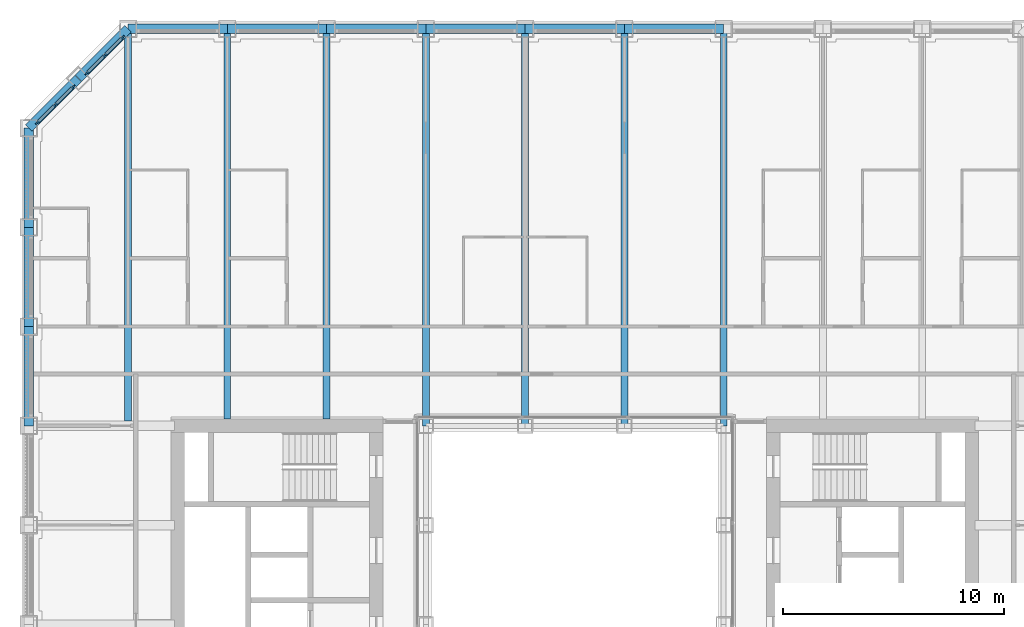
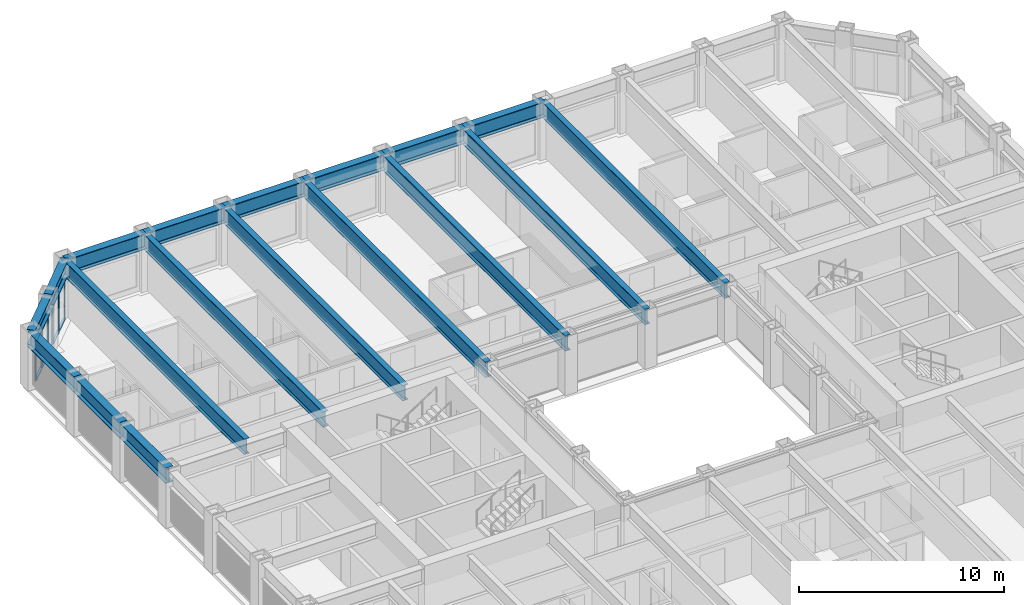
# One storey, part 6 of 21: 18 beams, 14 members, 2 elements without a shape of their own.
"""IFC4 building model written with IfcOpenShell, lengths in metres."""

from ifc_helpers import new_model, si_unit, direction, frame, origin, origin_2d, place, context, subcontext, project, spatial, rectangle, i_section, extrude, material, material_profile, profile_set, type_object, element, aggregate, save


model = new_model("IFC4")

# Units and contexts
model_context = context("Model", 3, precision=1e-05, world=origin(), true_north=direction((0.0, 1.0)))
body_context = subcontext(model_context, "Body", "Model", "MODEL_VIEW")
ifc_project = project(units=[si_unit("LENGTHUNIT", "METRE"), si_unit("AREAUNIT", "SQUARE_METRE"), si_unit("VOLUMEUNIT", "CUBIC_METRE"), si_unit("PLANEANGLEUNIT", "RADIAN"), si_unit("MASSUNIT", "GRAM", prefix="KILO")], contexts=[model_context])

# Site, building, storey
site_placement = place(None, origin())
site = spatial("IfcSite", under=ifc_project, at=site_placement, CompositionType="ELEMENT")
building_placement = place(site_placement, origin())
building = spatial("IfcBuilding", under=site, at=building_placement, Name="Msasa Ring Tower", CompositionType="ELEMENT")
storey_placement = place(building_placement, frame((0.0, 0.0, 79.0)))
storey = spatial("IfcBuildingStorey", under=building, at=storey_placement, Name="L20", CompositionType="ELEMENT", Elevation=79.0)

# Curtain wall, members
ifc_material_1 = material(Name="Aluminium curtain wall with clear glass", Category="aluminium")
curtain_wall_type = type_object("IfcCurtainWallType", Name="CW-C CHAMFER CORNER CURTAIN WALL", PredefinedType="NOTDEFINED", material=ifc_material_1)
curtain_wall_1_placement = place(storey_placement, origin())
curtain_wall_1 = element("IfcCurtainWall", 1, at=curtain_wall_1_placement, inside=storey, type_object=curtain_wall_type, Name="Chamfer corner curtain wall NW L20", PredefinedType="NOTDEFINED")
ifc_material_2 = material(Name="Aluminium mullion", Category="aluminium")
ifc_material_profile_1 = material_profile(ifc_material_2, rectangle(XDim=0.06494140625, YDim=0.179931640625, at=origin_2d()), Name="AL 65x180")
ifc_profile_set_1 = profile_set([ifc_material_profile_1], Name="Aluminium mullion")
member_type_1 = type_object("IfcMemberType", Name="CW-C MULLION 65x180", PredefinedType="MULLION", material=ifc_profile_set_1)
member_1_placement = place(storey_placement, frame((-22.73876953125, 22.119873046875, 0.0), z_axis=(0.0, 0.0, 1.0), x_axis=(0.707106781187, -0.707106781187, 0.0)))
member_1 = element("IfcMember", 2, at=member_1_placement, type_object=member_type_1, Name="CW-C mullion 1", PredefinedType="MULLION", context=body_context, shape_type="SweptSolid", body=[
    extrude(rectangle(XDim=0.06494140625, YDim=0.179931640625, at=origin_2d()), origin(), (0.0, 0.0, 1.0), 2.37890625),
])
member_2_placement = place(storey_placement, frame((-23.55419921875, 21.30419921875, 0.0), z_axis=(0.0, 0.0, 1.0), x_axis=(0.707106781187, -0.707106781187, 0.0)))
member_2 = element("IfcMember", 3, at=member_2_placement, type_object=member_type_1, Name="CW-C mullion 2", PredefinedType="MULLION", context=body_context, shape_type="SweptSolid", body=[
    extrude(rectangle(XDim=0.06494140625, YDim=0.179931640625, at=origin_2d()), origin(), (0.0, 0.0, 1.0), 2.37890625),
])
member_3_placement = place(storey_placement, frame((-24.369873046875, 20.48876953125, 0.0), z_axis=(0.0, 0.0, 1.0), x_axis=(0.707106781187, -0.707106781187, 0.0)))
member_3 = element("IfcMember", 4, at=member_3_placement, type_object=member_type_1, Name="CW-C mullion 3", PredefinedType="MULLION", context=body_context, shape_type="SweptSolid", body=[
    extrude(rectangle(XDim=0.06494140625, YDim=0.179931640625, at=origin_2d()), origin(), (0.0, 0.0, 1.0), 2.37890625),
])

curtain_wall_2_placement = place(storey_placement, origin())
curtain_wall_2 = element("IfcCurtainWall", 5, at=curtain_wall_2_placement, inside=storey, type_object=curtain_wall_type, Name="Chamfer corner curtain wall NW L20", PredefinedType="NOTDEFINED")
member_4_placement = place(storey_placement, frame((-20.48876953125, 24.369873046875, 0.0), z_axis=(0.0, 0.0, 1.0), x_axis=(0.707106781187, -0.707106781187, 0.0)))
member_4 = element("IfcMember", 6, at=member_4_placement, type_object=member_type_1, Name="CW-C mullion 1", PredefinedType="MULLION", context=body_context, shape_type="SweptSolid", body=[
    extrude(rectangle(XDim=0.06494140625, YDim=0.179931640625, at=origin_2d()), origin(), (0.0, 0.0, 1.0), 2.37890625),
])
member_5_placement = place(storey_placement, frame((-21.30419921875, 23.55419921875, 0.0), z_axis=(0.0, 0.0, 1.0), x_axis=(0.707106781187, -0.707106781187, 0.0)))
member_5 = element("IfcMember", 7, at=member_5_placement, type_object=member_type_1, Name="CW-C mullion 2", PredefinedType="MULLION", context=body_context, shape_type="SweptSolid", body=[
    extrude(rectangle(XDim=0.06494140625, YDim=0.179931640625, at=origin_2d()), origin(), (0.0, 0.0, 1.0), 2.37890625),
])
member_6_placement = place(storey_placement, frame((-22.119873046875, 22.73876953125, 0.0), z_axis=(0.0, 0.0, 1.0), x_axis=(0.707106781187, -0.707106781187, 0.0)))
member_6 = element("IfcMember", 8, at=member_6_placement, type_object=member_type_1, Name="CW-C mullion 3", PredefinedType="MULLION", context=body_context, shape_type="SweptSolid", body=[
    extrude(rectangle(XDim=0.06494140625, YDim=0.179931640625, at=origin_2d()), origin(), (0.0, 0.0, 1.0), 2.37890625),
])

# Member
ifc_material_3 = material(Name="Aluminium transom", Category="aluminium")
ifc_material_profile_2 = material_profile(ifc_material_3, rectangle(XDim=0.139892578125, YDim=0.06494140625, at=origin_2d()), Name="AL 65x140")
ifc_profile_set_2 = profile_set([ifc_material_profile_2], Name="Aluminium transom")
member_type_2 = type_object("IfcMemberType", Name="CW-C TRANSOM 65x140", PredefinedType="USERDEFINED", material=ifc_profile_set_2)
member_7_placement = place(storey_placement, frame((-22.76171875, 22.096923828125, 0.032470703125), z_axis=(-0.707106781187, -0.707106781187, 0.0), x_axis=(0.707106781187, -0.707106781187, 0.0)))
member_7 = element("IfcMember", 9, at=member_7_placement, type_object=member_type_2, Name="CW-C transom 1.1", ObjectType="TRANSOM", PredefinedType="USERDEFINED", context=body_context, shape_type="SweptSolid", body=[
    extrude(rectangle(XDim=0.139892578125, YDim=0.06494140625, at=origin_2d()), origin(), (0.0, 0.0, 1.0), 1.08837890625),
])

member_8_placement = place(storey_placement, frame((-22.76171875, 22.096923828125, 2.346435546875), z_axis=(-0.707106781187, -0.707106781187, 0.0), x_axis=(0.707106781187, -0.707106781187, 0.0)))
member_8 = element("IfcMember", 10, at=member_8_placement, type_object=member_type_2, Name="CW-C transom 1.2", ObjectType="TRANSOM", PredefinedType="USERDEFINED", context=body_context, shape_type="SweptSolid", body=[
    extrude(rectangle(XDim=0.139892578125, YDim=0.06494140625, at=origin_2d()), origin(), (0.0, 0.0, 1.0), 1.08837890625),
])

member_9_placement = place(storey_placement, frame((-23.577392578125, 21.28125, 0.032470703125), z_axis=(-0.707106781187, -0.707106781187, 0.0), x_axis=(0.707106781187, -0.707106781187, 0.0)))
member_9 = element("IfcMember", 11, at=member_9_placement, type_object=member_type_2, Name="CW-C transom 2.1", ObjectType="TRANSOM", PredefinedType="USERDEFINED", context=body_context, shape_type="SweptSolid", body=[
    extrude(rectangle(XDim=0.139892578125, YDim=0.06494140625, at=origin_2d()), origin(), (0.0, 0.0, 1.0), 1.08837890625),
])

member_10_placement = place(storey_placement, frame((-23.577392578125, 21.28125, 2.346435546875), z_axis=(-0.707106781187, -0.707106781187, 0.0), x_axis=(0.707106781187, -0.707106781187, 0.0)))
member_10 = element("IfcMember", 12, at=member_10_placement, type_object=member_type_2, Name="CW-C transom 2.2", ObjectType="TRANSOM", PredefinedType="USERDEFINED", context=body_context, shape_type="SweptSolid", body=[
    extrude(rectangle(XDim=0.139892578125, YDim=0.06494140625, at=origin_2d()), origin(), (0.0, 0.0, 1.0), 1.08837890625),
])

aggregate(curtain_wall_1, [member_1, member_2, member_3, member_7, member_8, member_9, member_10])

member_11_placement = place(storey_placement, frame((-20.51171875, 24.346923828125, 0.032470703125), z_axis=(-0.707106781187, -0.707106781187, 0.0), x_axis=(0.707106781187, -0.707106781187, 0.0)))
member_11 = element("IfcMember", 13, at=member_11_placement, type_object=member_type_2, Name="CW-C transom 1.1", ObjectType="TRANSOM", PredefinedType="USERDEFINED", context=body_context, shape_type="SweptSolid", body=[
    extrude(rectangle(XDim=0.139892578125, YDim=0.06494140625, at=origin_2d()), origin(), (0.0, 0.0, 1.0), 1.08837890625),
])

member_12_placement = place(storey_placement, frame((-20.51171875, 24.346923828125, 2.346435546875), z_axis=(-0.707106781187, -0.707106781187, 0.0), x_axis=(0.707106781187, -0.707106781187, 0.0)))
member_12 = element("IfcMember", 14, at=member_12_placement, type_object=member_type_2, Name="CW-C transom 1.2", ObjectType="TRANSOM", PredefinedType="USERDEFINED", context=body_context, shape_type="SweptSolid", body=[
    extrude(rectangle(XDim=0.139892578125, YDim=0.06494140625, at=origin_2d()), origin(), (0.0, 0.0, 1.0), 1.08837890625),
])

member_13_placement = place(storey_placement, frame((-21.327392578125, 23.53125, 0.032470703125), z_axis=(-0.707106781187, -0.707106781187, 0.0), x_axis=(0.707106781187, -0.707106781187, 0.0)))
member_13 = element("IfcMember", 15, at=member_13_placement, type_object=member_type_2, Name="CW-C transom 2.1", ObjectType="TRANSOM", PredefinedType="USERDEFINED", context=body_context, shape_type="SweptSolid", body=[
    extrude(rectangle(XDim=0.139892578125, YDim=0.06494140625, at=origin_2d()), origin(), (0.0, 0.0, 1.0), 1.08837890625),
])

member_14_placement = place(storey_placement, frame((-21.327392578125, 23.53125, 2.346435546875), z_axis=(-0.707106781187, -0.707106781187, 0.0), x_axis=(0.707106781187, -0.707106781187, 0.0)))
member_14 = element("IfcMember", 16, at=member_14_placement, type_object=member_type_2, Name="CW-C transom 2.2", ObjectType="TRANSOM", PredefinedType="USERDEFINED", context=body_context, shape_type="SweptSolid", body=[
    extrude(rectangle(XDim=0.139892578125, YDim=0.06494140625, at=origin_2d()), origin(), (0.0, 0.0, 1.0), 1.08837890625),
])

aggregate(curtain_wall_2, [member_4, member_5, member_6, member_11, member_12, member_13, member_14])

# Beams
ifc_material_4 = material(Name="Steel S355", Category="steel")
ifc_material_profile_3 = material_profile(ifc_material_4, i_section(OverallWidth=0.3076171875, OverallDepth=0.926513671875, WebThickness=0.01953125, FlangeThickness=0.031982421875, FilletRadius=0.01904296875, at=origin_2d()), Name="UB 914x305x289")
ifc_profile_set_3 = profile_set([ifc_material_profile_3], Name="Steel S355")
beam_type_1 = type_object("IfcBeamType", Name="FB3 UB 914x305x289", PredefinedType="BEAM", material=ifc_profile_set_3)
beam_placement = place(storey_placement, frame((-20.25, 24.75, 2.836669921875), z_axis=(0.0, -1.0, 0.0), x_axis=(1.0, 0.0, 0.0)))
element("IfcBeam", 17, at=beam_placement, inside=storey, type_object=beam_type_1, Name="Floor beam N-20.25 under L21", PredefinedType="BEAM", context=body_context, shape_type="SweptSolid", body=[
    extrude(i_section(OverallWidth=0.3076171875, OverallDepth=0.926513671875, WebThickness=0.01953125, FlangeThickness=0.031982421875, FilletRadius=0.01904296875, at=origin_2d()), origin(), (0.0, 0.0, 1.0), 17.789794921875),
])
for number, where, z_axis, x_axis, name in (
    (18, (-15.75, 24.75, 2.836669921875), (0.0, -1.0, 0.0), (1.0, 0.0, 0.0), "Floor beam N-15.75 under L21"),
    (19, (-11.25, 24.75, 2.836669921875), (0.0, -1.0, 0.0), (1.0, 0.0, 0.0), "Floor beam N-11.25 under L21"),
):
    element("IfcBeam", number, at=place(storey_placement, frame(where, z_axis=z_axis, x_axis=x_axis)), inside=storey, type_object=beam_type_1, Name=name, PredefinedType="BEAM", context=body_context, shape_type="SweptSolid", body=[
        extrude(i_section(OverallWidth=0.3076171875, OverallDepth=0.926513671875, WebThickness=0.01953125, FlangeThickness=0.031982421875, FilletRadius=0.01904296875, at=origin_2d()), origin(), (0.0, 0.0, 1.0), 17.699951171875),
    ])
for number, where, z_axis, x_axis, name in (
    (20, (-6.75, 24.75, 2.836669921875), (0.0, -1.0, 0.0), (1.0, 0.0, 0.0), "Floor beam N-6.75 under L21"),
    (21, (-2.25, 24.75, 2.836669921875), (0.0, -1.0, 0.0), (1.0, 0.0, 0.0), "Floor beam N-2.25 under L21"),
    (22, (2.25, 24.75, 2.836669921875), (0.0, -1.0, 0.0), (1.0, 0.0, 0.0), "Floor beam N+2.25 under L21"),
    (23, (6.75, 24.75, 2.836669921875), (0.0, -1.0, 0.0), (1.0, 0.0, 0.0), "Floor beam N+6.75 under L21"),
):
    element("IfcBeam", number, at=place(storey_placement, frame(where, z_axis=z_axis, x_axis=x_axis)), inside=storey, type_object=beam_type_1, Name=name, PredefinedType="BEAM", context=body_context, shape_type="SweptSolid", body=[
        extrude(i_section(OverallWidth=0.3076171875, OverallDepth=0.926513671875, WebThickness=0.01953125, FlangeThickness=0.031982421875, FilletRadius=0.01904296875, at=origin_2d()), origin(), (0.0, 0.0, 1.0), 18.0),
    ])
ifc_material_5 = material(Name="Steel S355", Category="steel")
ifc_material_profile_4 = material_profile(ifc_material_5, i_section(OverallWidth=0.42041015625, OverallDepth=0.9208984375, WebThickness=0.021484375, FlangeThickness=0.03662109375, FilletRadius=0.024169921875, at=origin_2d()), Name="UB 914x419x388")
ifc_profile_set_4 = profile_set([ifc_material_profile_4], Name="Steel S355")
beam_type_2 = type_object("IfcBeamType", Name="SB1 UB 914x419x388", PredefinedType="SPANDREL", material=ifc_profile_set_4)
for number, where, z_axis, x_axis, name in (
    (24, (6.75, 24.75, 2.839599609375), (-1.0, 0.0, 0.0), (0.0, -1.0, 0.0), "Spandrel N+6.75 to N+2.25 under L21"),
    (25, (2.25, 24.75, 2.839599609375), (-1.0, 0.0, 0.0), (0.0, -1.0, 0.0), "Spandrel N+2.25 to N-2.25 under L21"),
    (26, (-2.25, 24.75, 2.839599609375), (-1.0, 0.0, 0.0), (0.0, -1.0, 0.0), "Spandrel N-2.25 to N-6.75 under L21"),
    (27, (-6.75, 24.75, 2.839599609375), (-1.0, 0.0, 0.0), (0.0, -1.0, 0.0), "Spandrel N-6.75 to N-11.25 under L21"),
    (28, (-11.25, 24.75, 2.839599609375), (-1.0, 0.0, 0.0), (0.0, -1.0, 0.0), "Spandrel N-11.25 to N-15.75 under L21"),
    (29, (-15.75, 24.75, 2.839599609375), (-1.0, 0.0, 0.0), (0.0, -1.0, 0.0), "Spandrel N-15.75 to N-20.25 under L21"),
):
    element("IfcBeam", number, at=place(storey_placement, frame(where, z_axis=z_axis, x_axis=x_axis)), inside=storey, type_object=beam_type_2, Name=name, PredefinedType="SPANDREL", context=body_context, shape_type="SweptSolid", body=[
        extrude(i_section(OverallWidth=0.42041015625, OverallDepth=0.9208984375, WebThickness=0.021484375, FlangeThickness=0.03662109375, FilletRadius=0.024169921875, at=origin_2d()), origin(), (0.0, 0.0, 1.0), 4.5),
    ])
for number, where, z_axis, x_axis, name in (
    (30, (-20.25, 24.75, 2.839599609375), (-0.707106781187, -0.707106781187, 0.0), (0.707106781187, -0.707106781187, 0.0), "Spandrel N-20.25 to NW under L21"),
    (31, (-22.5, 22.5, 2.839599609375), (-0.707106781187, -0.707106781187, 0.0), (0.707106781187, -0.707106781187, 0.0), "Spandrel NW to W+20.25 under L21"),
):
    element("IfcBeam", number, at=place(storey_placement, frame(where, z_axis=z_axis, x_axis=x_axis)), inside=storey, type_object=beam_type_2, Name=name, PredefinedType="SPANDREL", context=body_context, shape_type="SweptSolid", body=[
        extrude(i_section(OverallWidth=0.42041015625, OverallDepth=0.9208984375, WebThickness=0.021484375, FlangeThickness=0.03662109375, FilletRadius=0.024169921875, at=origin_2d()), origin(), (0.0, 0.0, 1.0), 3.181884765625),
    ])
for number, where, z_axis, x_axis, name in (
    (32, (-24.75, 20.25, 2.839599609375), (0.0, -1.0, 0.0), (1.0, 0.0, 0.0), "Spandrel W+20.25 to W+15.75 under L21"),
    (33, (-24.75, 15.75, 2.839599609375), (0.0, -1.0, 0.0), (1.0, 0.0, 0.0), "Spandrel W+15.75 to W+11.25 under L21"),
    (34, (-24.75, 11.25, 2.839599609375), (0.0, -1.0, 0.0), (1.0, 0.0, 0.0), "Spandrel W+11.25 to W+6.75 under L21"),
):
    element("IfcBeam", number, at=place(storey_placement, frame(where, z_axis=z_axis, x_axis=x_axis)), inside=storey, type_object=beam_type_2, Name=name, PredefinedType="SPANDREL", context=body_context, shape_type="SweptSolid", body=[
        extrude(i_section(OverallWidth=0.42041015625, OverallDepth=0.9208984375, WebThickness=0.021484375, FlangeThickness=0.03662109375, FilletRadius=0.024169921875, at=origin_2d()), origin(), (0.0, 0.0, 1.0), 4.5),
    ])

save(model, "model.ifc")
